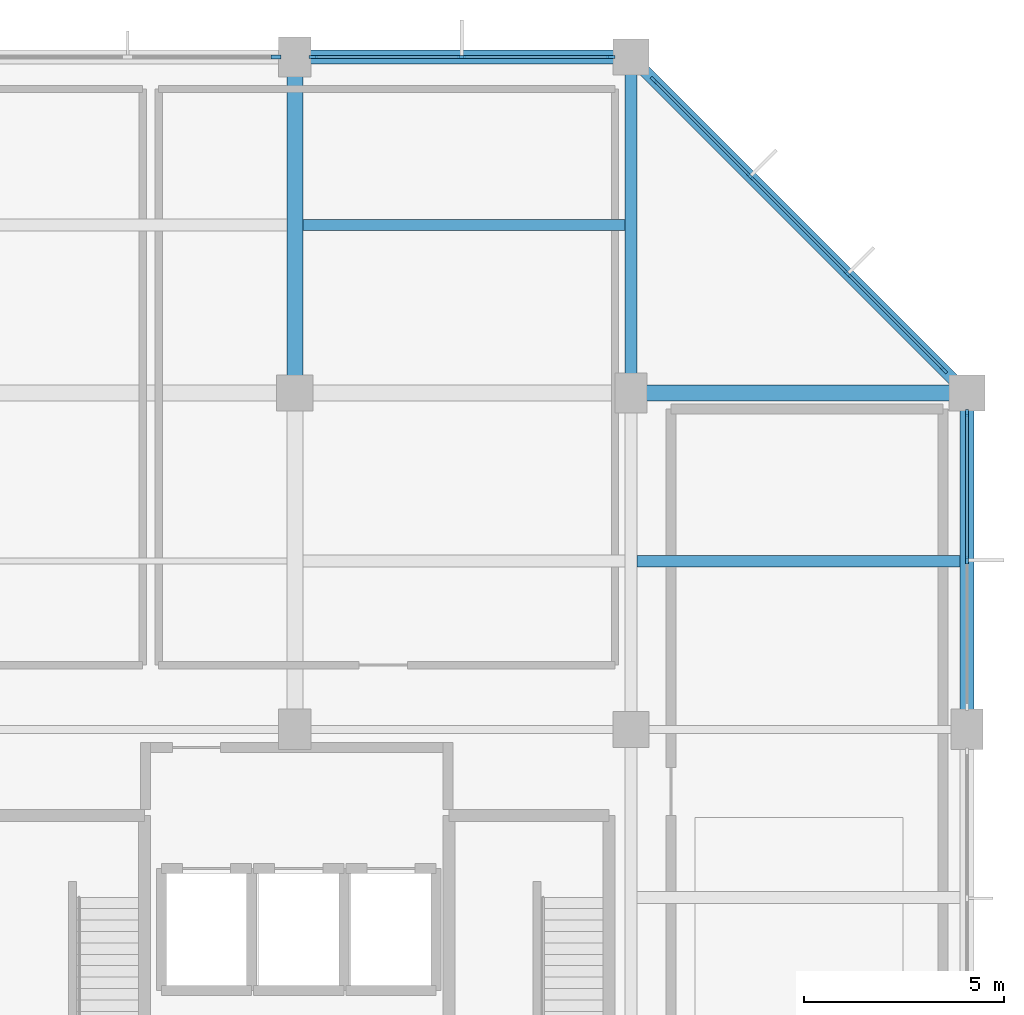
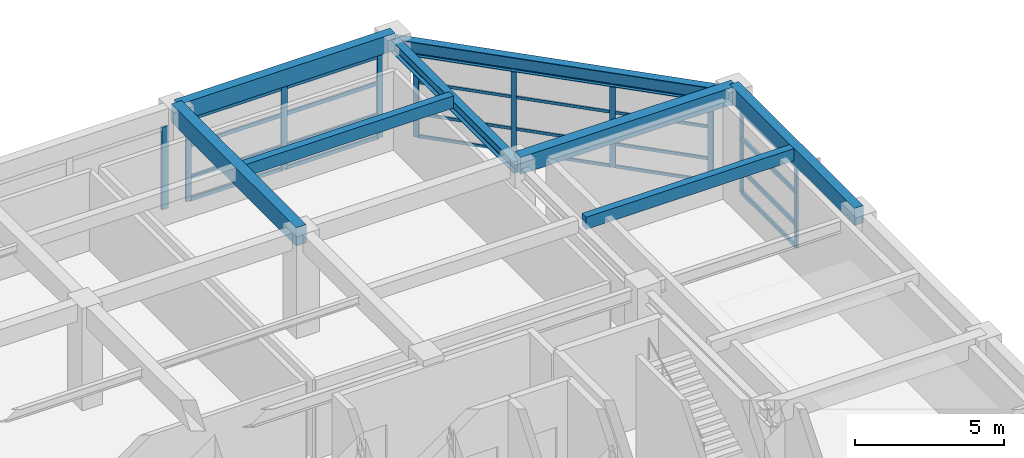
# One storey, part 6 of 11: 34 members, 8 beams, 4 elements without a shape of their own.
"""IFC4 building model written with IfcOpenShell, lengths in metres."""

from ifc_helpers import new_model, si_unit, direction, frame, origin, origin_2d, place, context, subcontext, project, spatial, rectangle, i_section, extrude, material, material_profile, profile_set, type_object, element, aggregate, save


model = new_model("IFC4")

# Units and contexts
model_context = context("Model", 3, precision=1e-05, world=origin(), true_north=direction((0.0, 1.0)))
body_context = subcontext(model_context, "Body", "Model", "MODEL_VIEW")
ifc_project = project(units=[si_unit("LENGTHUNIT", "METRE"), si_unit("AREAUNIT", "SQUARE_METRE"), si_unit("VOLUMEUNIT", "CUBIC_METRE"), si_unit("PLANEANGLEUNIT", "RADIAN"), si_unit("MASSUNIT", "GRAM", prefix="KILO")], contexts=[model_context])

# Site, building, storey
site_placement = place(None, origin())
site = spatial("IfcSite", under=ifc_project, at=site_placement, CompositionType="ELEMENT")
building_placement = place(site_placement, origin())
building = spatial("IfcBuilding", under=site, at=building_placement, Name="Xuanlan Plaza Opera House", CompositionType="ELEMENT")
storey_placement = place(building_placement, frame((0.0, 0.0, 57.300048828125)))
storey = spatial("IfcBuildingStorey", under=building, at=storey_placement, Name="L13", CompositionType="ELEMENT", Elevation=57.300048828125)

# Curtain wall, members
ifc_material_1 = material(Name="Anodised Aluminium 6063-T6 and Low-E Glass", Category="aluminium")
curtain_wall_type_1 = type_object("IfcCurtainWallType", Name="ENV-CW-CW-02", PredefinedType="USERDEFINED", material=ifc_material_1)
curtain_wall_1_placement = place(storey_placement, origin())
curtain_wall_1 = element("IfcCurtainWall", 1, at=curtain_wall_1_placement, inside=storey, type_object=curtain_wall_type_1, Name="Unitised Curtain Wall L13-007", ObjectType="UNITISED CURTAIN WALL", PredefinedType="USERDEFINED")
ifc_material_2 = material(Name="Anodised Aluminium 6063-T6", Category="aluminium")
ifc_material_profile_1 = material_profile(ifc_material_2, rectangle(XDim=0.070068359375, YDim=0.179931640625, at=origin_2d()), Name="ALU-M 70x180")
ifc_profile_set_1 = profile_set([ifc_material_profile_1], Name="Anodised Aluminium 6063-T6")
member_type_1 = type_object("IfcMemberType", Name="ENV-CWM-02", PredefinedType="MULLION", material=ifc_profile_set_1)
member_1_placement = place(storey_placement, frame((159.60009765625, 71.425048828125, 0.0), z_axis=(0.0, 0.0, 1.0), x_axis=(-1.0, 0.0, 0.0)))
member_1 = element("IfcMember", 2, at=member_1_placement, type_object=member_type_1, Name="CW-02 mullion 2", PredefinedType="MULLION", context=body_context, shape_type="SweptSolid", body=[
    extrude(rectangle(XDim=0.070068359375, YDim=0.179931640625, at=origin_2d()), origin(), (0.0, 0.0, 1.0), 3.3798828125),
])
member_2_placement = place(storey_placement, frame((159.60009765625, 75.094970703125, 0.0), z_axis=(0.0, 0.0, 1.0), x_axis=(-1.0, 0.0, 0.0)))
member_2 = element("IfcMember", 3, at=member_2_placement, type_object=member_type_1, Name="CW-02 mullion 3", PredefinedType="MULLION", context=body_context, shape_type="SweptSolid", body=[
    extrude(rectangle(XDim=0.070068359375, YDim=0.179931640625, at=origin_2d()), origin(), (0.0, 0.0, 1.0), 3.3798828125),
])

curtain_wall_type_2 = type_object("IfcCurtainWallType", Name="ENV-CW-CW-03", PredefinedType="USERDEFINED", material=ifc_material_1)
curtain_wall_2_placement = place(storey_placement, origin())
curtain_wall_2 = element("IfcCurtainWall", 4, at=curtain_wall_2_placement, inside=storey, type_object=curtain_wall_type_2, Name="Unitised Curtain Wall L13-008", ObjectType="UNITISED CURTAIN WALL", PredefinedType="USERDEFINED")
ifc_material_profile_2 = material_profile(ifc_material_2, rectangle(XDim=0.074951171875, YDim=0.199951171875, at=origin_2d()), Name="ALU-M 75x200")
ifc_profile_set_2 = profile_set([ifc_material_profile_2], Name="Anodised Aluminium 6063-T6")
member_type_2 = type_object("IfcMemberType", Name="ENV-CWM-03", PredefinedType="MULLION", material=ifc_profile_set_2)
member_3_placement = place(storey_placement, frame((159.0244140625, 76.175537109375, 0.0), z_axis=(0.0, 0.0, 1.0), x_axis=(-0.707106781187, -0.707106781187, 0.0)))
member_3 = element("IfcMember", 5, at=member_3_placement, type_object=member_type_2, Name="CW-03 mullion 1", PredefinedType="MULLION", context=body_context, shape_type="SweptSolid", body=[
    extrude(rectangle(XDim=0.074951171875, YDim=0.199951171875, at=origin_2d()), origin(), (0.0, 0.0, 1.0), 3.3798828125),
])
member_4_placement = place(storey_placement, frame((156.616943359375, 78.5830078125, 0.0), z_axis=(0.0, 0.0, 1.0), x_axis=(-0.707106781187, -0.707106781187, 0.0)))
member_4 = element("IfcMember", 6, at=member_4_placement, type_object=member_type_2, Name="CW-03 mullion 2", PredefinedType="MULLION", context=body_context, shape_type="SweptSolid", body=[
    extrude(rectangle(XDim=0.074951171875, YDim=0.199951171875, at=origin_2d()), origin(), (0.0, 0.0, 1.0), 3.3798828125),
])
member_5_placement = place(storey_placement, frame((154.18310546875, 81.01708984375, 0.0), z_axis=(0.0, 0.0, 1.0), x_axis=(-0.707106781187, -0.707106781187, 0.0)))
member_5 = element("IfcMember", 7, at=member_5_placement, type_object=member_type_2, Name="CW-03 mullion 3", PredefinedType="MULLION", context=body_context, shape_type="SweptSolid", body=[
    extrude(rectangle(XDim=0.074951171875, YDim=0.199951171875, at=origin_2d()), origin(), (0.0, 0.0, 1.0), 3.3798828125),
])
member_6_placement = place(storey_placement, frame((151.775634765625, 83.424560546875, 0.0), z_axis=(0.0, 0.0, 1.0), x_axis=(-0.707106781187, -0.707106781187, 0.0)))
member_6 = element("IfcMember", 8, at=member_6_placement, type_object=member_type_2, Name="CW-03 mullion 4", PredefinedType="MULLION", context=body_context, shape_type="SweptSolid", body=[
    extrude(rectangle(XDim=0.074951171875, YDim=0.199951171875, at=origin_2d()), origin(), (0.0, 0.0, 1.0), 3.3798828125),
])

curtain_wall_type_3 = type_object("IfcCurtainWallType", Name="ENV-CW-CW-04", PredefinedType="USERDEFINED", material=ifc_material_1)
curtain_wall_3_placement = place(storey_placement, origin())
curtain_wall_3 = element("IfcCurtainWall", 9, at=curtain_wall_3_placement, inside=storey, type_object=curtain_wall_type_3, Name="Unitised Curtain Wall L13-009", ObjectType="UNITISED CURTAIN WALL", PredefinedType="USERDEFINED")
ifc_material_profile_3 = material_profile(ifc_material_2, rectangle(XDim=0.080078125, YDim=0.219970703125, at=origin_2d()), Name="ALU-M 80x220")
ifc_profile_set_3 = profile_set([ifc_material_profile_3], Name="Anodised Aluminium 6063-T6")
member_type_3 = type_object("IfcMemberType", Name="ENV-CWM-04", PredefinedType="MULLION", material=ifc_profile_set_3)
member_7_placement = place(storey_placement, frame((150.68994140625, 84.0, 0.0), z_axis=(0.0, 0.0, 1.0), x_axis=(0.0, -1.0, 0.0)))
member_7 = element("IfcMember", 10, at=member_7_placement, type_object=member_type_3, Name="CW-04 mullion 1", PredefinedType="MULLION", context=body_context, shape_type="SweptSolid", body=[
    extrude(rectangle(XDim=0.080078125, YDim=0.219970703125, at=origin_2d()), origin(), (0.0, 0.0, 1.0), 3.3798828125),
])
member_8_placement = place(storey_placement, frame((146.97509765625, 84.0, 0.0), z_axis=(0.0, 0.0, 1.0), x_axis=(0.0, -1.0, 0.0)))
member_8 = element("IfcMember", 11, at=member_8_placement, type_object=member_type_3, Name="CW-04 mullion 2", PredefinedType="MULLION", context=body_context, shape_type="SweptSolid", body=[
    extrude(rectangle(XDim=0.080078125, YDim=0.219970703125, at=origin_2d()), origin(), (0.0, 0.0, 1.0), 3.3798828125),
])
member_9_placement = place(storey_placement, frame((143.260009765625, 84.0, 0.0), z_axis=(0.0, 0.0, 1.0), x_axis=(0.0, -1.0, 0.0)))
member_9 = element("IfcMember", 12, at=member_9_placement, type_object=member_type_3, Name="CW-04 mullion 3", PredefinedType="MULLION", context=body_context, shape_type="SweptSolid", body=[
    extrude(rectangle(XDim=0.080078125, YDim=0.219970703125, at=origin_2d()), origin(), (0.0, 0.0, 1.0), 3.3798828125),
])

# Curtain wall, member
curtain_wall_type_4 = type_object("IfcCurtainWallType", Name="ENV-CW-CW-01", PredefinedType="USERDEFINED", material=ifc_material_1)
curtain_wall_4_placement = place(storey_placement, origin())
curtain_wall_4 = element("IfcCurtainWall", 13, at=curtain_wall_4_placement, inside=storey, type_object=curtain_wall_type_4, Name="Unitised Curtain Wall L13-010", ObjectType="UNITISED CURTAIN WALL", PredefinedType="USERDEFINED")
ifc_material_profile_4 = material_profile(ifc_material_2, rectangle(XDim=0.090087890625, YDim=0.25, at=origin_2d()), Name="ALU-M 90x250")
ifc_profile_set_4 = profile_set([ifc_material_profile_4], Name="Anodised Aluminium 6063-T6")
member_type_4 = type_object("IfcMemberType", Name="ENV-CWM-05", PredefinedType="MULLION", material=ifc_profile_set_4)
member_10_placement = place(storey_placement, frame((142.3349609375, 84.0, 0.0), z_axis=(0.0, 0.0, 1.0), x_axis=(0.0, -1.0, 0.0)))
member_10 = element("IfcMember", 14, at=member_10_placement, type_object=member_type_4, Name="CW-01 mullion 1", PredefinedType="MULLION", context=body_context, shape_type="SweptSolid", body=[
    extrude(rectangle(XDim=0.090087890625, YDim=0.25, at=origin_2d()), origin(), (0.0, 0.0, 1.0), 3.3798828125),
])
aggregate(curtain_wall_4, [member_10])

# Member
ifc_material_profile_5 = material_profile(ifc_material_2, rectangle(XDim=0.06494140625, YDim=0.1201171875, at=origin_2d()), Name="ALU-T 65x120")
ifc_profile_set_5 = profile_set([ifc_material_profile_5], Name="Anodised Aluminium 6063-T6")
member_type_5 = type_object("IfcMemberType", Name="ENV-CWT-01", PredefinedType="USERDEFINED", material=ifc_profile_set_5)
member_11_placement = place(storey_placement, frame((158.998046875, 76.2021484375, 0.032470703125), z_axis=(-0.707143442588, 0.707070117884, 0.0), x_axis=(-0.707070117884, -0.707143442588, 0.0)))
member_11 = element("IfcMember", 15, at=member_11_placement, type_object=member_type_5, Name="CW-03 transom 1.1", ObjectType="TRANSOM", PredefinedType="USERDEFINED", context=body_context, shape_type="SweptSolid", body=[
    extrude(rectangle(XDim=0.06494140625, YDim=0.1201171875, at=origin_2d()), origin(), (0.0, 0.0, 1.0), 3.32958984375),
])

member_12_placement = place(storey_placement, frame((158.998046875, 76.2021484375, 0.949951171875), z_axis=(-0.707143442588, 0.707070117884, 0.0), x_axis=(-0.707070117884, -0.707143442588, 0.0)))
member_12 = element("IfcMember", 16, at=member_12_placement, type_object=member_type_5, Name="CW-03 transom 1.2", ObjectType="TRANSOM", PredefinedType="USERDEFINED", context=body_context, shape_type="SweptSolid", body=[
    extrude(rectangle(XDim=0.06494140625, YDim=0.1201171875, at=origin_2d()), origin(), (0.0, 0.0, 1.0), 3.32958984375),
])

member_13_placement = place(storey_placement, frame((158.998046875, 76.2021484375, 2.25), z_axis=(-0.707143442588, 0.707070117884, 0.0), x_axis=(-0.707070117884, -0.707143442588, 0.0)))
member_13 = element("IfcMember", 17, at=member_13_placement, type_object=member_type_5, Name="CW-03 transom 1.3", ObjectType="TRANSOM", PredefinedType="USERDEFINED", context=body_context, shape_type="SweptSolid", body=[
    extrude(rectangle(XDim=0.06494140625, YDim=0.1201171875, at=origin_2d()), origin(), (0.0, 0.0, 1.0), 3.32958984375),
])

member_14_placement = place(storey_placement, frame((158.998046875, 76.2021484375, 3.347412109375), z_axis=(-0.707143442588, 0.707070117884, 0.0), x_axis=(-0.707070117884, -0.707143442588, 0.0)))
member_14 = element("IfcMember", 18, at=member_14_placement, type_object=member_type_5, Name="CW-03 transom 1.4", ObjectType="TRANSOM", PredefinedType="USERDEFINED", context=body_context, shape_type="SweptSolid", body=[
    extrude(rectangle(XDim=0.06494140625, YDim=0.1201171875, at=origin_2d()), origin(), (0.0, 0.0, 1.0), 3.32958984375),
])

member_15_placement = place(storey_placement, frame((156.590576171875, 78.609619140625, 0.032470703125), z_axis=(-0.707143032848, 0.707070527667, 0.0), x_axis=(-0.707070527667, -0.707143032848, 0.0)))
member_15 = element("IfcMember", 19, at=member_15_placement, type_object=member_type_5, Name="CW-03 transom 2.1", ObjectType="TRANSOM", PredefinedType="USERDEFINED", context=body_context, shape_type="SweptSolid", body=[
    extrude(rectangle(XDim=0.06494140625, YDim=0.1201171875, at=origin_2d()), origin(), (0.0, 0.0, 1.0), 3.3671875),
])

member_16_placement = place(storey_placement, frame((156.590576171875, 78.609619140625, 0.949951171875), z_axis=(-0.707143032848, 0.707070527667, 0.0), x_axis=(-0.707070527667, -0.707143032848, 0.0)))
member_16 = element("IfcMember", 20, at=member_16_placement, type_object=member_type_5, Name="CW-03 transom 2.2", ObjectType="TRANSOM", PredefinedType="USERDEFINED", context=body_context, shape_type="SweptSolid", body=[
    extrude(rectangle(XDim=0.06494140625, YDim=0.1201171875, at=origin_2d()), origin(), (0.0, 0.0, 1.0), 3.3671875),
])

member_17_placement = place(storey_placement, frame((156.590576171875, 78.609619140625, 2.25), z_axis=(-0.707143032848, 0.707070527667, 0.0), x_axis=(-0.707070527667, -0.707143032848, 0.0)))
member_17 = element("IfcMember", 21, at=member_17_placement, type_object=member_type_5, Name="CW-03 transom 2.3", ObjectType="TRANSOM", PredefinedType="USERDEFINED", context=body_context, shape_type="SweptSolid", body=[
    extrude(rectangle(XDim=0.06494140625, YDim=0.1201171875, at=origin_2d()), origin(), (0.0, 0.0, 1.0), 3.3671875),
])

member_18_placement = place(storey_placement, frame((156.590576171875, 78.609619140625, 3.347412109375), z_axis=(-0.707143032848, 0.707070527667, 0.0), x_axis=(-0.707070527667, -0.707143032848, 0.0)))
member_18 = element("IfcMember", 22, at=member_18_placement, type_object=member_type_5, Name="CW-03 transom 2.4", ObjectType="TRANSOM", PredefinedType="USERDEFINED", context=body_context, shape_type="SweptSolid", body=[
    extrude(rectangle(XDim=0.06494140625, YDim=0.1201171875, at=origin_2d()), origin(), (0.0, 0.0, 1.0), 3.3671875),
])

member_19_placement = place(storey_placement, frame((154.156494140625, 81.04345703125, 0.032470703125), z_axis=(-0.707106781187, 0.707106781187, 0.0), x_axis=(-0.707106781187, -0.707106781187, 0.0)))
member_19 = element("IfcMember", 23, at=member_19_placement, type_object=member_type_5, Name="CW-03 transom 3.1", ObjectType="TRANSOM", PredefinedType="USERDEFINED", context=body_context, shape_type="SweptSolid", body=[
    extrude(rectangle(XDim=0.06494140625, YDim=0.1201171875, at=origin_2d()), origin(), (0.0, 0.0, 1.0), 3.329833984375),
])

member_20_placement = place(storey_placement, frame((154.156494140625, 81.04345703125, 0.949951171875), z_axis=(-0.707106781187, 0.707106781187, 0.0), x_axis=(-0.707106781187, -0.707106781187, 0.0)))
member_20 = element("IfcMember", 24, at=member_20_placement, type_object=member_type_5, Name="CW-03 transom 3.2", ObjectType="TRANSOM", PredefinedType="USERDEFINED", context=body_context, shape_type="SweptSolid", body=[
    extrude(rectangle(XDim=0.06494140625, YDim=0.1201171875, at=origin_2d()), origin(), (0.0, 0.0, 1.0), 3.329833984375),
])

member_21_placement = place(storey_placement, frame((154.156494140625, 81.04345703125, 2.25), z_axis=(-0.707106781187, 0.707106781187, 0.0), x_axis=(-0.707106781187, -0.707106781187, 0.0)))
member_21 = element("IfcMember", 25, at=member_21_placement, type_object=member_type_5, Name="CW-03 transom 3.3", ObjectType="TRANSOM", PredefinedType="USERDEFINED", context=body_context, shape_type="SweptSolid", body=[
    extrude(rectangle(XDim=0.06494140625, YDim=0.1201171875, at=origin_2d()), origin(), (0.0, 0.0, 1.0), 3.329833984375),
])

member_22_placement = place(storey_placement, frame((154.156494140625, 81.04345703125, 3.347412109375), z_axis=(-0.707106781187, 0.707106781187, 0.0), x_axis=(-0.707106781187, -0.707106781187, 0.0)))
member_22 = element("IfcMember", 26, at=member_22_placement, type_object=member_type_5, Name="CW-03 transom 3.4", ObjectType="TRANSOM", PredefinedType="USERDEFINED", context=body_context, shape_type="SweptSolid", body=[
    extrude(rectangle(XDim=0.06494140625, YDim=0.1201171875, at=origin_2d()), origin(), (0.0, 0.0, 1.0), 3.329833984375),
])

aggregate(curtain_wall_2, [member_3, member_4, member_5, member_6, member_11, member_12, member_13, member_14, member_15, member_16, member_17, member_18, member_19, member_20, member_21, member_22])

ifc_material_profile_6 = material_profile(ifc_material_2, rectangle(XDim=0.074951171875, YDim=0.14990234375, at=origin_2d()), Name="ALU-T 75x150")
ifc_profile_set_6 = profile_set([ifc_material_profile_6], Name="Anodised Aluminium 6063-T6")
member_type_6 = type_object("IfcMemberType", Name="ENV-CWT-03", PredefinedType="USERDEFINED", material=ifc_profile_set_6)
member_23_placement = place(storey_placement, frame((150.64990234375, 84.0, 0.037353515625), z_axis=(-1.0, 0.0, 0.0), x_axis=(0.0, -1.0, 0.0)))
member_23 = element("IfcMember", 27, at=member_23_placement, type_object=member_type_6, Name="CW-04 transom 1.1", ObjectType="TRANSOM", PredefinedType="USERDEFINED", context=body_context, shape_type="SweptSolid", body=[
    extrude(rectangle(XDim=0.074951171875, YDim=0.14990234375, at=origin_2d()), origin(), (0.0, 0.0, 1.0), 3.635009765625),
])

member_24_placement = place(storey_placement, frame((150.64990234375, 84.0, 0.949951171875), z_axis=(-1.0, 0.0, 0.0), x_axis=(0.0, -1.0, 0.0)))
member_24 = element("IfcMember", 28, at=member_24_placement, type_object=member_type_6, Name="CW-04 transom 1.2", ObjectType="TRANSOM", PredefinedType="USERDEFINED", context=body_context, shape_type="SweptSolid", body=[
    extrude(rectangle(XDim=0.074951171875, YDim=0.14990234375, at=origin_2d()), origin(), (0.0, 0.0, 1.0), 3.635009765625),
])

member_25_placement = place(storey_placement, frame((150.64990234375, 84.0, 2.25), z_axis=(-1.0, 0.0, 0.0), x_axis=(0.0, -1.0, 0.0)))
member_25 = element("IfcMember", 29, at=member_25_placement, type_object=member_type_6, Name="CW-04 transom 1.3", ObjectType="TRANSOM", PredefinedType="USERDEFINED", context=body_context, shape_type="SweptSolid", body=[
    extrude(rectangle(XDim=0.074951171875, YDim=0.14990234375, at=origin_2d()), origin(), (0.0, 0.0, 1.0), 3.635009765625),
])

member_26_placement = place(storey_placement, frame((150.64990234375, 84.0, 3.342529296875), z_axis=(-1.0, 0.0, 0.0), x_axis=(0.0, -1.0, 0.0)))
member_26 = element("IfcMember", 30, at=member_26_placement, type_object=member_type_6, Name="CW-04 transom 1.4", ObjectType="TRANSOM", PredefinedType="USERDEFINED", context=body_context, shape_type="SweptSolid", body=[
    extrude(rectangle(XDim=0.074951171875, YDim=0.14990234375, at=origin_2d()), origin(), (0.0, 0.0, 1.0), 3.635009765625),
])

member_27_placement = place(storey_placement, frame((146.93505859375, 84.0, 0.037353515625), z_axis=(-1.0, 0.0, 0.0), x_axis=(0.0, -1.0, 0.0)))
member_27 = element("IfcMember", 31, at=member_27_placement, type_object=member_type_6, Name="CW-04 transom 2.1", ObjectType="TRANSOM", PredefinedType="USERDEFINED", context=body_context, shape_type="SweptSolid", body=[
    extrude(rectangle(XDim=0.074951171875, YDim=0.14990234375, at=origin_2d()), origin(), (0.0, 0.0, 1.0), 3.635009765625),
])

member_28_placement = place(storey_placement, frame((146.93505859375, 84.0, 0.949951171875), z_axis=(-1.0, 0.0, 0.0), x_axis=(0.0, -1.0, 0.0)))
member_28 = element("IfcMember", 32, at=member_28_placement, type_object=member_type_6, Name="CW-04 transom 2.2", ObjectType="TRANSOM", PredefinedType="USERDEFINED", context=body_context, shape_type="SweptSolid", body=[
    extrude(rectangle(XDim=0.074951171875, YDim=0.14990234375, at=origin_2d()), origin(), (0.0, 0.0, 1.0), 3.635009765625),
])

member_29_placement = place(storey_placement, frame((146.93505859375, 84.0, 2.25), z_axis=(-1.0, 0.0, 0.0), x_axis=(0.0, -1.0, 0.0)))
member_29 = element("IfcMember", 33, at=member_29_placement, type_object=member_type_6, Name="CW-04 transom 2.3", ObjectType="TRANSOM", PredefinedType="USERDEFINED", context=body_context, shape_type="SweptSolid", body=[
    extrude(rectangle(XDim=0.074951171875, YDim=0.14990234375, at=origin_2d()), origin(), (0.0, 0.0, 1.0), 3.635009765625),
])

member_30_placement = place(storey_placement, frame((146.93505859375, 84.0, 3.342529296875), z_axis=(-1.0, 0.0, 0.0), x_axis=(0.0, -1.0, 0.0)))
member_30 = element("IfcMember", 34, at=member_30_placement, type_object=member_type_6, Name="CW-04 transom 2.4", ObjectType="TRANSOM", PredefinedType="USERDEFINED", context=body_context, shape_type="SweptSolid", body=[
    extrude(rectangle(XDim=0.074951171875, YDim=0.14990234375, at=origin_2d()), origin(), (0.0, 0.0, 1.0), 3.635009765625),
])

aggregate(curtain_wall_3, [member_7, member_8, member_9, member_23, member_24, member_25, member_26, member_27, member_28, member_29, member_30])

ifc_material_profile_7 = material_profile(ifc_material_2, rectangle(XDim=0.080078125, YDim=0.1650390625, at=origin_2d()), Name="ALU-T 80x165")
ifc_profile_set_7 = profile_set([ifc_material_profile_7], Name="Anodised Aluminium 6063-T6")
member_type_7 = type_object("IfcMemberType", Name="ENV-CWT-04", PredefinedType="USERDEFINED", material=ifc_profile_set_7)
member_31_placement = place(storey_placement, frame((159.60009765625, 71.4599609375, 0.0400390625), z_axis=(0.0, 1.0, 0.0), x_axis=(-1.0, 0.0, 0.0)))
member_31 = element("IfcMember", 35, at=member_31_placement, type_object=member_type_7, Name="CW-02 transom 2.1", ObjectType="TRANSOM", PredefinedType="USERDEFINED", context=body_context, shape_type="SweptSolid", body=[
    extrude(rectangle(XDim=0.080078125, YDim=0.1650390625, at=origin_2d()), origin(), (0.0, 0.0, 1.0), 3.60009765625),
])

member_32_placement = place(storey_placement, frame((159.60009765625, 71.4599609375, 0.949951171875), z_axis=(0.0, 1.0, 0.0), x_axis=(-1.0, 0.0, 0.0)))
member_32 = element("IfcMember", 36, at=member_32_placement, type_object=member_type_7, Name="CW-02 transom 2.2", ObjectType="TRANSOM", PredefinedType="USERDEFINED", context=body_context, shape_type="SweptSolid", body=[
    extrude(rectangle(XDim=0.080078125, YDim=0.1650390625, at=origin_2d()), origin(), (0.0, 0.0, 1.0), 3.60009765625),
])

member_33_placement = place(storey_placement, frame((159.60009765625, 71.4599609375, 2.25), z_axis=(0.0, 1.0, 0.0), x_axis=(-1.0, 0.0, 0.0)))
member_33 = element("IfcMember", 37, at=member_33_placement, type_object=member_type_7, Name="CW-02 transom 2.3", ObjectType="TRANSOM", PredefinedType="USERDEFINED", context=body_context, shape_type="SweptSolid", body=[
    extrude(rectangle(XDim=0.080078125, YDim=0.1650390625, at=origin_2d()), origin(), (0.0, 0.0, 1.0), 3.60009765625),
])

member_34_placement = place(storey_placement, frame((159.60009765625, 71.4599609375, 3.33984375), z_axis=(0.0, 1.0, 0.0), x_axis=(-1.0, 0.0, 0.0)))
member_34 = element("IfcMember", 38, at=member_34_placement, type_object=member_type_7, Name="CW-02 transom 2.4", ObjectType="TRANSOM", PredefinedType="USERDEFINED", context=body_context, shape_type="SweptSolid", body=[
    extrude(rectangle(XDim=0.080078125, YDim=0.1650390625, at=origin_2d()), origin(), (0.0, 0.0, 1.0), 3.60009765625),
])

aggregate(curtain_wall_1, [member_1, member_2, member_31, member_32, member_33, member_34])

# Beams
ifc_material_3 = material(Name="Concrete C40", Category="concrete")
ifc_material_profile_8 = material_profile(ifc_material_3, rectangle(XDim=0.39990234375, YDim=0.75, at=origin_2d()), Name="RC-BM 400x750")
ifc_profile_set_8 = profile_set([ifc_material_profile_8], Name="Concrete C40")
beam_type_1 = type_object("IfcBeamType", Name="STR-BM-B-06", PredefinedType="BEAM", material=ifc_profile_set_8)
beam_1_placement = place(storey_placement, frame((142.800048828125, 75.60009765625, 3.824951171875), z_axis=(0.0, 1.0, 0.0), x_axis=(-1.0, 0.0, 0.0)))
element("IfcBeam", 39, at=beam_1_placement, inside=storey, type_object=beam_type_1, Name="Grid Beam Y L13 18/J-K", PredefinedType="BEAM", context=body_context, shape_type="SweptSolid", body=[
    extrude(rectangle(XDim=0.39990234375, YDim=0.75, at=origin_2d()), origin(), (0.0, 0.0, 1.0), 8.39990234375),
])
ifc_material_profile_9 = material_profile(ifc_material_3, rectangle(XDim=0.39990234375, YDim=0.699951171875, at=origin_2d()), Name="RC-BM 400x700")
ifc_profile_set_9 = profile_set([ifc_material_profile_9], Name="Concrete C40")
beam_type_2 = type_object("IfcBeamType", Name="STR-BM-B-07", PredefinedType="BEAM", material=ifc_profile_set_9)
beam_2_placement = place(storey_placement, frame((151.199951171875, 75.60009765625, 3.849853515625), z_axis=(1.0, 0.0, 0.0), x_axis=(0.0, 1.0, 0.0)))
element("IfcBeam", 40, at=beam_2_placement, inside=storey, type_object=beam_type_2, Name="Grid Beam X L13 19-20/J", PredefinedType="BEAM", context=body_context, shape_type="SweptSolid", body=[
    extrude(rectangle(XDim=0.39990234375, YDim=0.699951171875, at=origin_2d()), origin(), (0.0, 0.0, 1.0), 8.400146484375),
])
ifc_material_profile_10 = material_profile(ifc_material_3, rectangle(XDim=0.280029296875, YDim=0.5, at=origin_2d()), Name="RC-JST 280x500")
ifc_profile_set_10 = profile_set([ifc_material_profile_10], Name="Concrete C40")
beam_type_3 = type_object("IfcBeamType", Name="STR-BM-J-06", PredefinedType="JOIST", material=ifc_profile_set_10)
beam_3_placement = place(storey_placement, frame((151.35009765625, 71.39990234375, 3.949951171875), z_axis=(1.0, 0.0, 0.0), x_axis=(0.0, 1.0, 0.0)))
element("IfcBeam", 41, at=beam_3_placement, inside=storey, type_object=beam_type_3, Name="Heavy Floor Joist L13 19-20/Im", PredefinedType="JOIST", context=body_context, shape_type="SweptSolid", body=[
    extrude(rectangle(XDim=0.280029296875, YDim=0.5, at=origin_2d()), origin(), (0.0, 0.0, 1.0), 8.074951171875),
])
beam_4_placement = place(storey_placement, frame((143.0, 79.800048828125, 3.949951171875), z_axis=(1.0, 0.0, 0.0), x_axis=(0.0, 1.0, 0.0)))
element("IfcBeam", 42, at=beam_4_placement, inside=storey, type_object=beam_type_3, Name="Heavy Floor Joist L13 18-19/Jm", PredefinedType="JOIST", context=body_context, shape_type="SweptSolid", body=[
    extrude(rectangle(XDim=0.280029296875, YDim=0.5, at=origin_2d()), origin(), (0.0, 0.0, 1.0), 8.050048828125),
])
ifc_material_4 = material(Name="Steel Q355B", Category="steel")
ifc_material_profile_11 = material_profile(ifc_material_4, i_section(OverallWidth=0.300048828125, OverallDepth=0.488037109375, WebThickness=0.010986328125, FlangeThickness=0.01806640625, FilletRadius=0.02197265625, at=origin_2d()), Name="HM 488x300x11x18")
ifc_profile_set_11 = profile_set([ifc_material_profile_11], Name="Steel Q355B")
beam_type_4 = type_object("IfcBeamType", Name="STR-BM-SB-07", PredefinedType="BEAM", material=ifc_profile_set_11)
beam_5_placement = place(storey_placement, frame((151.199951171875, 75.60009765625, 3.7109375), z_axis=(0.0, 1.0, 0.0), x_axis=(-1.0, 0.0, 0.0)))
element("IfcBeam", 43, at=beam_5_placement, inside=storey, type_object=beam_type_4, Name="Grid Beam Y L13 19/J-K", PredefinedType="BEAM", context=body_context, shape_type="SweptSolid", body=[
    extrude(i_section(OverallWidth=0.300048828125, OverallDepth=0.488037109375, WebThickness=0.010986328125, FlangeThickness=0.01806640625, FilletRadius=0.02197265625, at=origin_2d()), origin(), (0.0, 0.0, 1.0), 8.39990234375),
])
ifc_material_profile_12 = material_profile(ifc_material_3, rectangle(XDim=0.35009765625, YDim=0.699951171875, at=origin_2d()), Name="RC-SPD 350x700")
ifc_profile_set_12 = profile_set([ifc_material_profile_12], Name="Concrete C40")
beam_type_5 = type_object("IfcBeamType", Name="STR-BM-SP-02", PredefinedType="SPANDREL", material=ifc_profile_set_12)
beam_6_placement = place(storey_placement, frame((142.800048828125, 84.0, 3.849853515625), z_axis=(1.0, 0.0, 0.0), x_axis=(0.0, 1.0, 0.0)))
element("IfcBeam", 44, at=beam_6_placement, inside=storey, type_object=beam_type_5, Name="Grid Beam X L13 18-19/K", PredefinedType="SPANDREL", context=body_context, shape_type="SweptSolid", body=[
    extrude(rectangle(XDim=0.35009765625, YDim=0.699951171875, at=origin_2d()), origin(), (0.0, 0.0, 1.0), 8.39990234375),
])
beam_7_placement = place(storey_placement, frame((159.60009765625, 67.199951171875, 3.849853515625), z_axis=(0.0, 1.0, 0.0), x_axis=(-1.0, 0.0, 0.0)))
element("IfcBeam", 45, at=beam_7_placement, inside=storey, type_object=beam_type_5, Name="Grid Beam Y L13 20/I-J", PredefinedType="SPANDREL", context=body_context, shape_type="SweptSolid", body=[
    extrude(rectangle(XDim=0.35009765625, YDim=0.699951171875, at=origin_2d()), origin(), (0.0, 0.0, 1.0), 8.400146484375),
])
ifc_material_profile_13 = material_profile(ifc_material_4, i_section(OverallWidth=0.300048828125, OverallDepth=0.587890625, WebThickness=0.011962890625, FlangeThickness=0.02001953125, FilletRadius=0.02392578125, at=origin_2d()), Name="HM 588x300x12x20")
ifc_profile_set_13 = profile_set([ifc_material_profile_13], Name="Steel Q355B")
beam_type_6 = type_object("IfcBeamType", Name="STR-BM-SP-03", PredefinedType="SPANDREL", material=ifc_profile_set_13)
beam_8_placement = place(storey_placement, frame((159.60009765625, 75.60009765625, 3.660888671875), z_axis=(-0.707117056885, 0.707096505339, 0.0), x_axis=(-0.707096505339, -0.707117056885, 0.0)))
element("IfcBeam", 46, at=beam_8_placement, inside=storey, type_object=beam_type_6, Name="Faceted Edge Spandrel L13 CH03", PredefinedType="SPANDREL", context=body_context, shape_type="SweptSolid", body=[
    extrude(i_section(OverallWidth=0.300048828125, OverallDepth=0.587890625, WebThickness=0.011962890625, FlangeThickness=0.02001953125, FilletRadius=0.02392578125, at=origin_2d()), origin(), (0.0, 0.0, 1.0), 11.87939453125),
])

save(model, "model.ifc")
